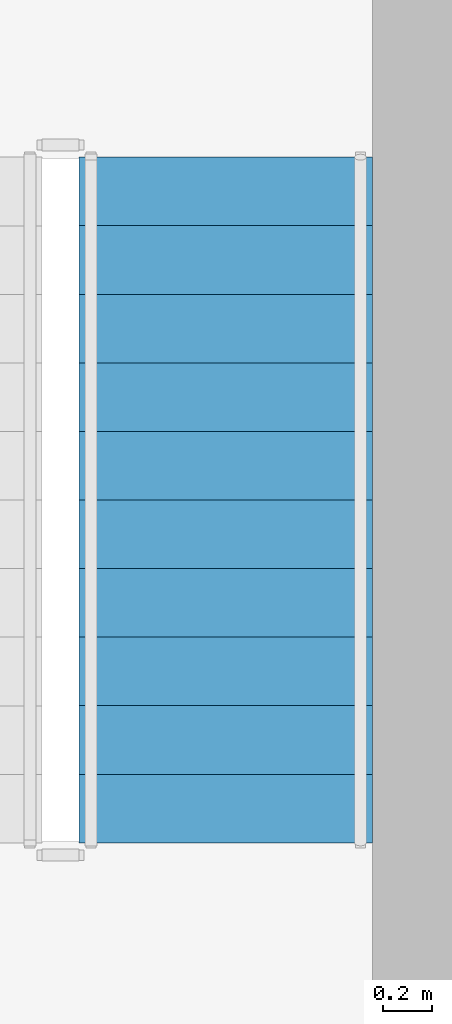
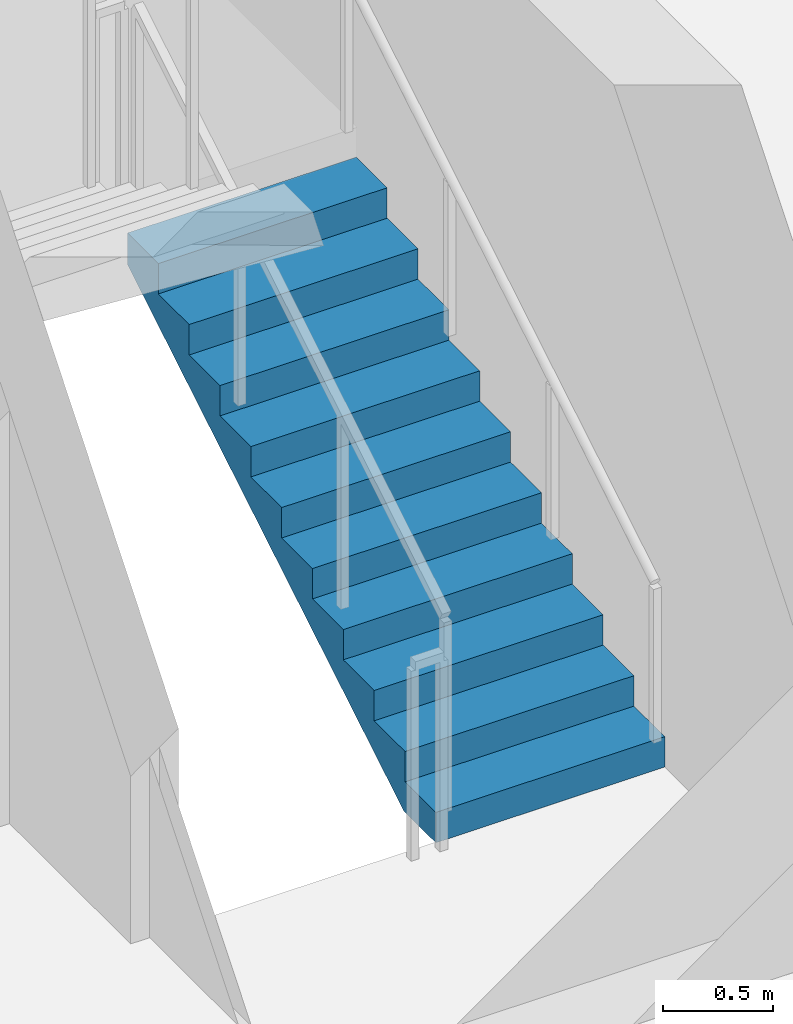
# One storey, part 8 of 14: 1 stair flight, 1 element without a shape of its own.
"""IFC4 building model written with IfcOpenShell, lengths in metres."""

from ifc_helpers import new_model, si_unit, direction, frame, origin, place, context, subcontext, project, spatial, polyline, outline, extrude, material, type_object, element, aggregate, save


model = new_model("IFC4")

# Units and contexts
model_context = context("Model", 3, precision=1e-05, world=origin(), true_north=direction((0.0, 1.0)))
body_context = subcontext(model_context, "Body", "Model", "MODEL_VIEW")
ifc_project = project(units=[si_unit("LENGTHUNIT", "METRE"), si_unit("AREAUNIT", "SQUARE_METRE"), si_unit("VOLUMEUNIT", "CUBIC_METRE"), si_unit("PLANEANGLEUNIT", "RADIAN"), si_unit("MASSUNIT", "GRAM", prefix="KILO")], contexts=[model_context])

# Site, building, storey
site_placement = place(None, origin())
site = spatial("IfcSite", under=ifc_project, at=site_placement, CompositionType="ELEMENT")
building_placement = place(site_placement, origin())
building = spatial("IfcBuilding", under=site, at=building_placement, Name="Apuvela Tower Hotel", CompositionType="ELEMENT")
storey_placement = place(building_placement, frame((0.0, 0.0, 209.5)))
storey = spatial("IfcBuildingStorey", under=building, at=storey_placement, Name="L51", CompositionType="ELEMENT", Elevation=209.5)

# Stair, stair flight
ifc_material = material(Name="Concrete C50/60", Category="concrete")
stair_type = type_object("IfcStairType", Name="COR-STAIR-22R", PredefinedType="HALF_TURN_STAIR", material=ifc_material)
stair_placement = place(storey_placement, origin())
stair = element("IfcStair", 1, at=stair_placement, inside=storey, type_object=stair_type, Name="L51 Exit stair ST1", PredefinedType="HALF_TURN_STAIR")
stair_flight_type = type_object("IfcStairFlightType", Name="COR-FLIGHT-11R", PredefinedType="STRAIGHT", material=ifc_material)
stair_flight_placement = place(storey_placement, frame((4.39990234375, 14.60009765625, 0.0), z_axis=(0.0, 0.0, 1.0), x_axis=(0.0, 1.0, 0.0)))
stair_flight = element("IfcStairFlight", 2, at=stair_flight_placement, type_object=stair_flight_type, Name="ST1 flight 1", NumberOfRisers=11, NumberOfTreads=10, PredefinedType="STRAIGHT", RiserHeight=0.168181818, TreadLength=0.28, context=body_context, shape_type="SweptSolid", body=[
    extrude(outline(polyline([(0.0, 0.0), (0.0, 0.168212890625), (0.280029296875, 0.168212890625), (0.280029296875, 0.33642578125), (0.56005859375, 0.33642578125), (0.56005859375, 0.504638671875), (0.840087890625, 0.504638671875), (0.840087890625, 0.672607421875), (1.1201171875, 0.672607421875), (1.1201171875, 0.8408203125), (1.39990234375, 0.8408203125), (1.39990234375, 1.009033203125), (1.679931640625, 1.009033203125), (1.679931640625, 1.17724609375), (1.9599609375, 1.17724609375), (1.9599609375, 1.345458984375), (2.239990234375, 1.345458984375), (2.239990234375, 1.513671875), (2.52001953125, 1.513671875), (2.52001953125, 1.681884765625), (2.800048828125, 1.681884765625), (2.800048828125, 1.85009765625), (2.800048828125, 1.5068359375), (0.291015625, 0.0), (0.0, 0.0)])), frame((0.0, 0.60009765625, 0.0), z_axis=(0.0, -1.0, 0.0), x_axis=(1.0, 0.0, 0.0)), (0.0, 0.0, 1.0), 1.199951171875),
])
aggregate(stair, [stair_flight])

save(model, "model.ifc")
